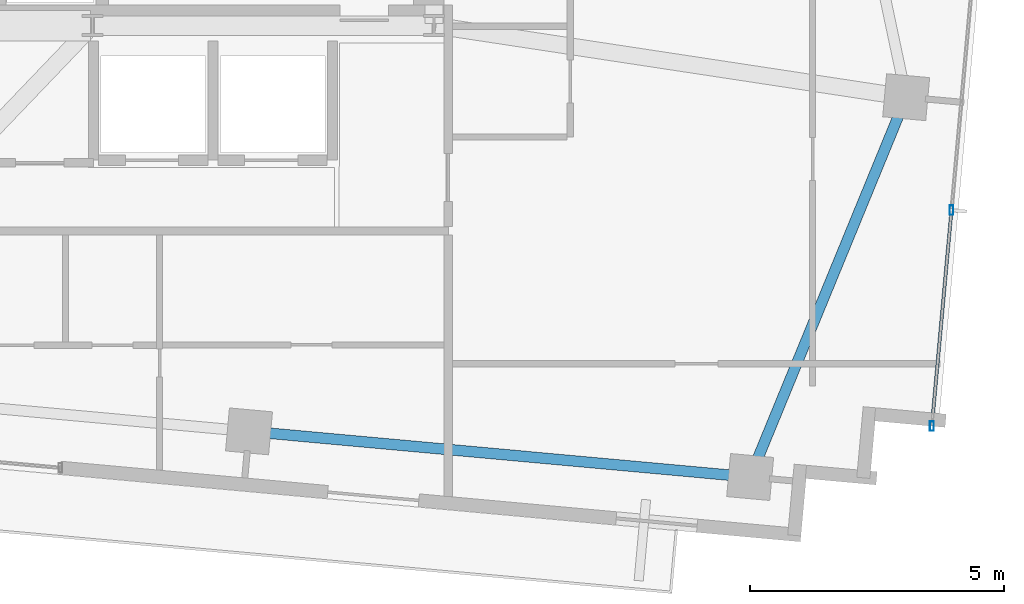
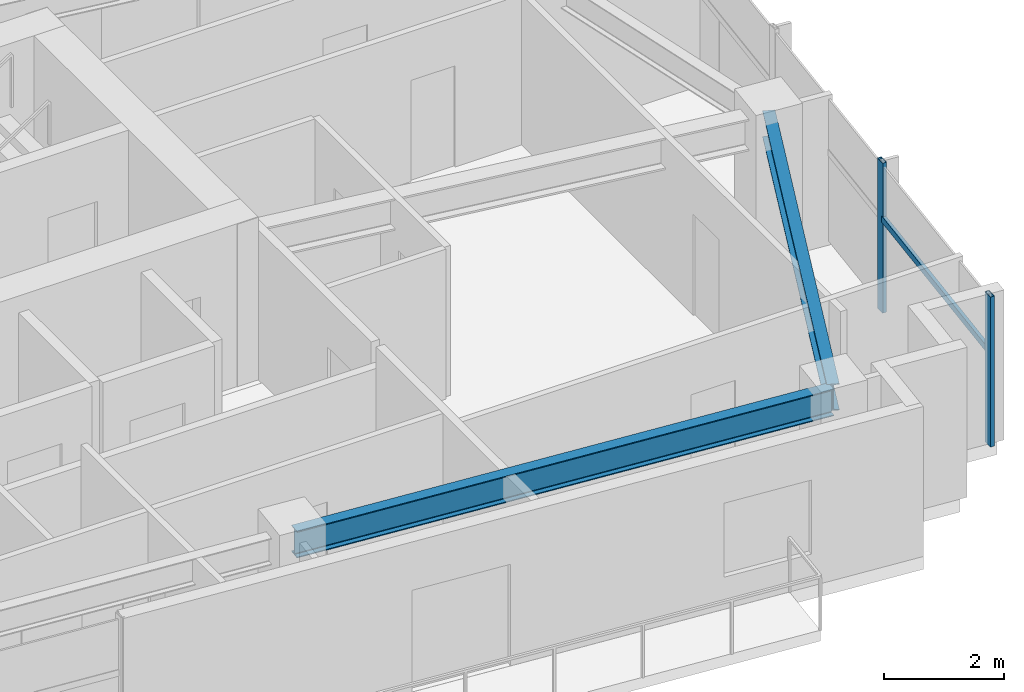
# One storey, part 12 of 22: 3 members, 2 beams, 1 element without a shape of its own.
"""IFC4 building model written with IfcOpenShell, lengths in metres."""

from ifc_helpers import new_model, si_unit, direction, frame, origin, origin_2d, place, context, subcontext, project, spatial, hollow_rectangle, i_section, extrude, source, transform, mapped, material, material_profile, profile_set, type_object, type_shapes, element, aggregate, save


model = new_model("IFC4")

# Units and contexts
model_context = context("Model", 3, precision=1e-05, world=origin(), true_north=direction((0.0, 1.0)))
body_context = subcontext(model_context, "Body", "Model", "MODEL_VIEW")
ifc_project = project(units=[si_unit("LENGTHUNIT", "METRE"), si_unit("AREAUNIT", "SQUARE_METRE"), si_unit("VOLUMEUNIT", "CUBIC_METRE"), si_unit("PLANEANGLEUNIT", "RADIAN"), si_unit("MASSUNIT", "GRAM", prefix="KILO")], contexts=[model_context])

# Site, building, storey
site_placement = place(None, origin())
site = spatial("IfcSite", under=ifc_project, at=site_placement, CompositionType="ELEMENT")
building_placement = place(site_placement, origin())
building = spatial("IfcBuilding", under=site, at=building_placement, Name="Astriad Promenade Condominiums", CompositionType="ELEMENT")
storey_placement = place(building_placement, frame((0.0, 0.0, 252.89990234375)))
storey = spatial("IfcBuildingStorey", under=building, at=storey_placement, Name="L73", CompositionType="ELEMENT", Elevation=252.89990234375)

# Beams
ifc_material_1 = material(Name="Steel ASTM A992 Grade 50", Category="steel")
ifc_material_profile_1 = material_profile(ifc_material_1, i_section(OverallWidth=0.210693359375, OverallDepth=0.53955078125, WebThickness=0.01171875, FlangeThickness=0.018798828125, FilletRadius=0.0166015625, at=origin_2d()), Name="W21X73")
ifc_profile_set_1 = profile_set([ifc_material_profile_1], Name="Steel ASTM A992 Grade 50")
beam_type = type_object("IfcBeamType", Name="STEEL SPANDREL BEAM W21X73", PredefinedType="SPANDREL", material=ifc_profile_set_1)
shared_shape_1 = source(origin(), body_context, "Body", "SweptSolid", [
    extrude(i_section(OverallWidth=0.210693359375, OverallDepth=0.53955078125, WebThickness=0.01171875, FlangeThickness=0.018798828125, FilletRadius=0.0166015625, at=origin_2d()), origin(), (0.0, 0.0, 1.0), 9.820068359375),
])
beam_1_placement = place(storey_placement, frame((41.99951171875, 9.410888671875, 2.7705078125), z_axis=(0.995883214993, -0.090645585088, 0.0), x_axis=(0.090645585088, 0.995883214993, 0.0)))
element("IfcBeam", 1, at=beam_1_placement, inside=storey, type_object=beam_type, Name="Perimeter Spandrel Beam SP-S4-L73", PredefinedType="SPANDREL", context=body_context, shape_type="MappedRepresentation", body=[
    mapped(shared_shape_1, transform((0.0, 0.0, 0.0), scale=1.0)),
])
shared_shape_2 = source(origin(), body_context, "Body", "SweptSolid", [
    extrude(i_section(OverallWidth=0.210693359375, OverallDepth=0.53955078125, WebThickness=0.01171875, FlangeThickness=0.018798828125, FilletRadius=0.0166015625, at=origin_2d()), origin(), (0.0, 0.0, 1.0), 7.998779296875),
])
type_shapes(beam_type, [shared_shape_1, shared_shape_2])
beam_2_placement = place(storey_placement, frame((51.833984375, 8.55419921875, 2.7705078125), z_axis=(0.38000513148, 0.924984378273, 0.0), x_axis=(-0.924984378273, 0.38000513148, 0.0)))
element("IfcBeam", 2, at=beam_2_placement, inside=storey, type_object=beam_type, Name="Perimeter Spandrel Beam SP-E1-L73", PredefinedType="SPANDREL", context=body_context, shape_type="MappedRepresentation", body=[
    mapped(shared_shape_2, transform((0.0, 0.0, 0.0), scale=1.0)),
])

# Curtain wall, members
ifc_material_2 = material(Name="Anodised aluminium Black Dark Glass Unitised", Category="aluminium")
curtain_wall_type = type_object("IfcCurtainWallType", Name="CW-B5-DARK", PredefinedType="USERDEFINED", material=ifc_material_2)
curtain_wall_placement = place(storey_placement, origin())
curtain_wall = element("IfcCurtainWall", 3, at=curtain_wall_placement, inside=storey, type_object=curtain_wall_type, Name="CW-L73-E", ObjectType="UNITISED_CURTAIN_WALL", PredefinedType="USERDEFINED")
ifc_material_3 = material(Name="Anodised aluminium 6063-T6 Black", Category="aluminium")
ifc_material_profile_2 = material_profile(ifc_material_3, hollow_rectangle(XDim=0.06494140625, YDim=0.1298828125, WallThickness=0.00390625, at=origin_2d()), Name="ALU-TRN-65X130")
ifc_profile_set_2 = profile_set([ifc_material_profile_2], Name="Anodised aluminium 6063-T6 Black")
member_type_1 = type_object("IfcMemberType", Name="TRN-ALU-TRN-65X130", PredefinedType="USERDEFINED", material=ifc_profile_set_2)
shared_shape_3 = source(origin(), body_context, "Body", "SweptSolid", [
    extrude(hollow_rectangle(XDim=0.06494140625, YDim=0.1298828125, WallThickness=0.00390625, at=origin_2d()), origin(), (0.0, 0.0, 1.0), 4.2666015625),
])
type_shapes(member_type_1, [shared_shape_3])
member_1_placement = place(storey_placement, frame((55.78076171875, 13.766357421875, 1.885009765625), z_axis=(-0.090638931954, -0.99588382054, 0.0), x_axis=(0.99588382054, -0.090638931954, 0.0)))
member_1 = element("IfcMember", 4, at=member_1_placement, type_object=member_type_1, Name="CW-L73-E-TRN-02-0", ObjectType="TRANSOM", PredefinedType="USERDEFINED", context=body_context, shape_type="MappedRepresentation", body=[
    mapped(shared_shape_3, transform((0.0, 0.0, 0.0), scale=1.0)),
])
ifc_material_profile_3 = material_profile(ifc_material_3, hollow_rectangle(XDim=0.074951171875, YDim=0.18505859375, WallThickness=0.00439453125, at=origin_2d()), Name="ALU-MUL-75X185")
ifc_profile_set_3 = profile_set([ifc_material_profile_3], Name="Anodised aluminium 6063-T6 Black")
member_type_2 = type_object("IfcMemberType", Name="MUL-ALU-MUL-75X185", PredefinedType="MULLION", material=ifc_profile_set_3)
shared_shape_4 = source(origin(), body_context, "Body", "SweptSolid", [
    extrude(hollow_rectangle(XDim=0.074951171875, YDim=0.18505859375, WallThickness=0.00439453125, at=origin_2d()), origin(), (0.0, 0.0, 1.0), 3.0400390625),
])
type_shapes(member_type_2, [shared_shape_4])
member_2_placement = place(storey_placement, frame((55.78076171875, 13.766357421875, 0.0), z_axis=(0.0, 0.0, 1.0), x_axis=(1.0, 0.0, 0.0)))
member_2 = element("IfcMember", 5, at=member_2_placement, type_object=member_type_2, Name="CW-L73-E-MUL-02", PredefinedType="MULLION", context=body_context, shape_type="MappedRepresentation", body=[
    mapped(shared_shape_4, transform((0.0, 0.0, 0.0), scale=1.0)),
])
member_3_placement = place(storey_placement, frame((55.39404296875, 9.517333984375, 0.0), z_axis=(0.0, 0.0, 1.0), x_axis=(1.0, 0.0, 0.0)))
member_3 = element("IfcMember", 6, at=member_3_placement, type_object=member_type_2, Name="CW-L73-E-MUL-03", PredefinedType="MULLION", context=body_context, shape_type="MappedRepresentation", body=[
    mapped(shared_shape_4, transform((0.0, 0.0, 0.0), scale=1.0)),
])
aggregate(curtain_wall, [member_2, member_3, member_1])

save(model, "model.ifc")
